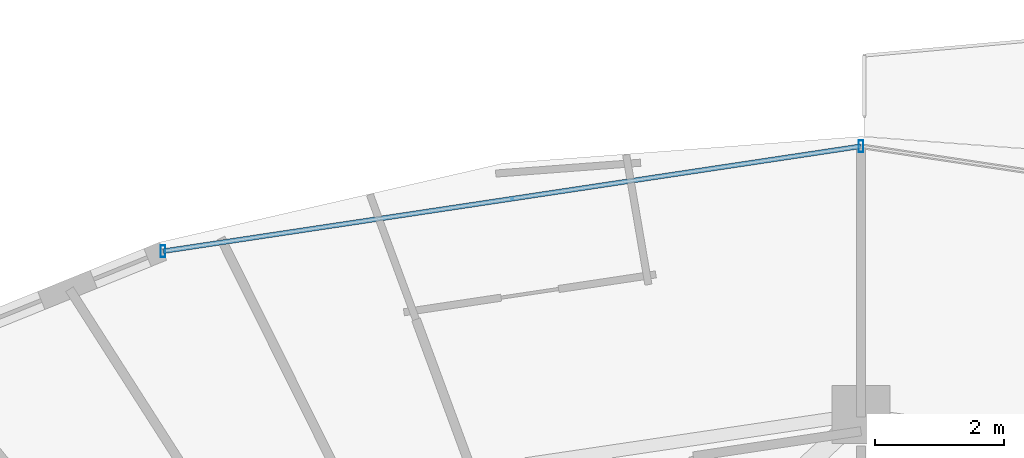
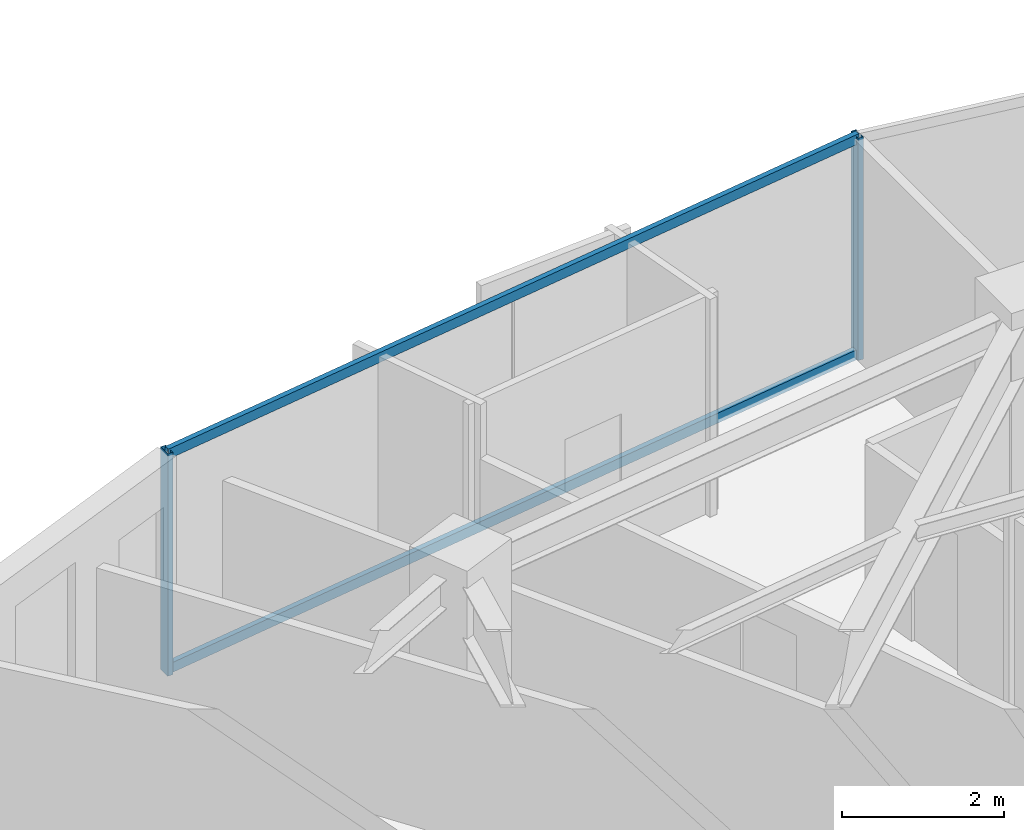
# One storey, part 18 of 32: 4 members, 1 element without a shape of its own.
"""IFC4 building model written with IfcOpenShell, lengths in metres."""

import ifcopenshell
import ifcopenshell.guid

model = None  # the IFC model being written
_history = None  # IfcOwnerHistory: only IFC2X3 demands one
_inside = {}  # id of a spatial element -> (the spatial element, [elements in it])
_under = {}  # id of a project, library or spatial element -> (it, [spatial elements below it])
_declared = {}  # id of a project -> (the project, [libraries it declares])
_typed = {}  # id of a type object -> (the type object, [elements of that type])
_made_of = {}  # id of a material, layer set ... -> (it, [elements and type objects made of it])


def new_model(schema):
    """Start an empty IFC model of exactly this schema.

    Asked for "IFC4X3", IfcOpenShell would pick the latest addendum, in which some entities
    have other attributes; the version numbers below select the first issue.
    IFC2X3 requires an IfcOwnerHistory on every rooted entity: one is made here for all.
    """
    global model, _history
    if schema == "IFC4X3":
        model = ifcopenshell.file(schema_version=(4, 3, 0, 0))
    else:
        model = ifcopenshell.file(schema=schema)
    _inside.clear()
    _under.clear()
    _declared.clear()
    _typed.clear()
    _made_of.clear()
    _history = None
    if model.schema == "IFC2X3":
        org = make("IfcOrganization", Name="unknown")
        user = make(
            "IfcPersonAndOrganization",
            ThePerson=make("IfcPerson", FamilyName="unknown"),
            TheOrganization=org,
        )
        app = make(
            "IfcApplication",
            ApplicationDeveloper=org,
            Version="unknown",
            ApplicationFullName="unknown",
            ApplicationIdentifier="unknown",
        )
        _history = make(
            "IfcOwnerHistory",
            OwningUser=user,
            OwningApplication=app,
            ChangeAction="ADDED",
            CreationDate=0,
        )
    return model


def make(cls, **values):
    """One entity of the class cls with the attributes given. An attribute that is None is left unset."""
    return model.create_entity(
        cls, **{name: value for name, value in values.items() if value is not None}
    )


def rooted(cls, **values):
    """An entity with a GlobalId (a new one), such as an element, a storey or a relation."""
    return make(cls, GlobalId=ifcopenshell.guid.new(), OwnerHistory=_history, **values)


def si_unit(unit_type, name, prefix=None):
    """IfcSIUnit, for example si_unit("LENGTHUNIT", "METRE", prefix="MILLI")."""
    return make("IfcSIUnit", UnitType=unit_type, Prefix=prefix, Name=name)


def assignment(units):
    """IfcUnitAssignment: the units of a project."""
    return None if units is None else make("IfcUnitAssignment", Units=units)


def point(xyz):
    """IfcCartesianPoint."""
    return None if xyz is None else make("IfcCartesianPoint", Coordinates=xyz)


def direction(xyz):
    """IfcDirection."""
    return None if xyz is None else make("IfcDirection", DirectionRatios=xyz)


def frame(location, z_axis=None, x_axis=None):
    """IfcAxis2Placement3D, a coordinate frame: its origin and axes. An axis left out is left unset."""
    return make(
        "IfcAxis2Placement3D",
        Location=point(location),
        Axis=direction(z_axis),
        RefDirection=direction(x_axis),
    )


def frame_2d(location, x_axis=None):
    """IfcAxis2Placement2D, a coordinate frame in the plane: its origin and x axis."""
    return make(
        "IfcAxis2Placement2D", Location=point(location), RefDirection=direction(x_axis)
    )


def origin():
    """The frame at (0, 0, 0) with its axes left unset."""
    return frame((0.0, 0.0, 0.0))


def origin_2d():
    """The frame at (0, 0) in the plane with its x axis left unset."""
    return frame_2d((0.0, 0.0))


def place(relative_to, where):
    """IfcLocalPlacement: puts the frame where relative to a parent placement (None: the world)."""
    return make(
        "IfcLocalPlacement", PlacementRelTo=relative_to, RelativePlacement=where
    )


def context(
    kind, dimensions, precision=None, world=None, true_north=None, identifier=None
):
    """IfcGeometricRepresentationContext, for example the 3D "Model" context."""
    return make(
        "IfcGeometricRepresentationContext",
        ContextIdentifier=identifier,
        ContextType=kind,
        CoordinateSpaceDimension=dimensions,
        Precision=precision,
        WorldCoordinateSystem=world,
        TrueNorth=true_north,
    )


def subcontext(parent, identifier, kind, view, scale=None):
    """IfcGeometricRepresentationSubContext, for example "Body" below "Model"."""
    return make(
        "IfcGeometricRepresentationSubContext",
        ContextIdentifier=identifier,
        ContextType=kind,
        ParentContext=parent,
        TargetScale=scale,
        TargetView=view,
    )


def project(units=None, contexts=None):
    """IfcProject with its units and contexts."""
    return rooted(
        "IfcProject",
        Name="project",
        RepresentationContexts=contexts,
        UnitsInContext=assignment(units),
    )


def spatial(cls, under=None, at=None, **own):
    """A site, building, storey or space (cls), placed at a placement, below another one or the project."""
    s = rooted(cls, ObjectPlacement=at, **own)
    if under is not None:
        _under.setdefault(under.id(), (under, []))[1].append(s)
    return s


def profile(cls, at=None, kind="AREA", **sizes):
    """A parametric profile (cls). Its sizes go by their IFC names, for example OverallWidth=200.0."""
    return make(cls, ProfileType=kind, Position=at, **sizes)


def hollow_rectangle(**sizes):
    """IfcRectangleHollowProfileDef."""
    return profile("IfcRectangleHollowProfileDef", **sizes)


def extrude(swept, where, along, depth):
    """IfcExtrudedAreaSolid: the profile swept, set in the frame where, extruded along a direction by depth."""
    return make(
        "IfcExtrudedAreaSolid",
        SweptArea=swept,
        Position=where,
        ExtrudedDirection=direction(along),
        Depth=depth,
    )


def shape(context_of_items, identifier, shape_type, items):
    """IfcShapeRepresentation: the items that make up one representation, for example the "Body"."""
    return make(
        "IfcShapeRepresentation",
        ContextOfItems=context_of_items,
        RepresentationIdentifier=identifier,
        RepresentationType=shape_type,
        Items=items,
    )


def material(Name=None, Category=None):
    """IfcMaterial."""
    return make("IfcMaterial", Name=Name, Category=Category)


def material_profile(
    of_material, cross_section, Name=None, Category=None, Priority=None
):
    """IfcMaterialProfile: a cross section and its material."""
    return make(
        "IfcMaterialProfile",
        Name=Name,
        Material=of_material,
        Profile=cross_section,
        Priority=Priority,
        Category=Category,
    )


def profile_set(profiles, Name=None, composite=None):
    """IfcMaterialProfileSet."""
    return make(
        "IfcMaterialProfileSet",
        Name=Name,
        MaterialProfiles=profiles,
        CompositeProfile=composite,
    )


def made_of(thing, what):
    """Note that an element or type object is made of a material, layer set ...; save() writes the relation."""
    if what is not None:
        _made_of.setdefault(what.id(), (what, []))[1].append(thing)
    return thing


def type_object(cls, material=None, **own):
    """A type object (cls), such as IfcWallType, which elements share."""
    return made_of(rooted(cls, **own), material)


def element(
    cls,
    number,
    at=None,
    inside=None,
    cuts=None,
    type_object=None,
    material=None,
    context=None,
    identifier="Body",
    shape_type=None,
    held_by="IfcProductDefinitionShape",
    body=None,
    shapes=None,
    **own,
):
    """One element of the class cls, such as IfcWall. Its Tag is "e" and its number.

    at: its placement. inside: the storey or other place that contains it. cuts: it is an
    opening in that element (IfcRelVoidsElement). A single representation is given by context,
    identifier, shape_type and body (its items); several are given by shapes. held_by: the class
    of the entity that holds the representations. save() writes the other relations.
    """
    e = rooted(cls, Tag="e%d" % number, ObjectPlacement=at, **own)
    if body is not None:
        shapes = [shape(context, identifier, shape_type, body)]
    if shapes is not None:
        e.Representation = make(held_by, Representations=shapes)
    if inside is not None:
        _inside.setdefault(inside.id(), (inside, []))[1].append(e)
    if cuts is not None:
        rooted(
            "IfcRelVoidsElement", RelatingBuildingElement=cuts, RelatedOpeningElement=e
        )
    if type_object is not None:
        _typed.setdefault(type_object.id(), (type_object, []))[1].append(e)
    return made_of(e, material)


def aggregate(whole, parts):
    """IfcRelAggregates: a whole, such as a stair, and the parts it consists of."""
    return rooted("IfcRelAggregates", RelatingObject=whole, RelatedObjects=parts)


def save(model, path):
    """Write the relations noted so far, then the file.

    IfcRelAggregates (storeys below a building ...), IfcRelContainedInSpatialStructure (elements
    in a storey), IfcRelDefinesByType, IfcRelAssociatesMaterial and IfcRelDeclares: one each for
    every whole, place, type object, material and project.
    """
    for whole, parts in _under.values():
        aggregate(whole, parts)
    for where, things in _inside.values():
        rooted(
            "IfcRelContainedInSpatialStructure",
            RelatedElements=things,
            RelatingStructure=where,
        )
    for kind, things in _typed.values():
        rooted("IfcRelDefinesByType", RelatedObjects=things, RelatingType=kind)
    for what, things in _made_of.values():
        rooted("IfcRelAssociatesMaterial", RelatedObjects=things, RelatingMaterial=what)
    for by, libraries in _declared.values():
        rooted("IfcRelDeclares", RelatingContext=by, RelatedDefinitions=libraries)
    model.write(path)


model = new_model("IFC4")

# Units and contexts
model_context = context("Model", 3, precision=1e-05, world=origin(), true_north=direction((0.0, 1.0)))
body_context = subcontext(model_context, "Body", "Model", "MODEL_VIEW")
ifc_project = project(units=[si_unit("LENGTHUNIT", "METRE"), si_unit("AREAUNIT", "SQUARE_METRE"), si_unit("VOLUMEUNIT", "CUBIC_METRE"), si_unit("PLANEANGLEUNIT", "RADIAN"), si_unit("MASSUNIT", "GRAM", prefix="KILO")], contexts=[model_context])

# Site, building, storey
site_placement = place(None, origin())
site = spatial("IfcSite", under=ifc_project, at=site_placement, CompositionType="ELEMENT")
building_placement = place(site_placement, origin())
building = spatial("IfcBuilding", under=site, at=building_placement, Name="Vorneva Point Tower", CompositionType="ELEMENT")
storey_placement = place(building_placement, frame((0.0, 0.0, 207.199951171875)))
storey = spatial("IfcBuildingStorey", under=building, at=storey_placement, Name="L56", CompositionType="ELEMENT", Elevation=207.199951171875)

# Curtain wall, members
ifc_material = material(Name="Pale anodised aluminium", Category="aluminium")
curtain_wall_type = type_object("IfcCurtainWallType", Name="CW-RES-SYS", PredefinedType="NOTDEFINED", material=ifc_material)
curtain_wall_placement = place(storey_placement, origin())
curtain_wall = element("IfcCurtainWall", 1, at=curtain_wall_placement, inside=storey, type_object=curtain_wall_type, Name="L56 Unitised Curtain Wall CW-L56-R01", PredefinedType="NOTDEFINED")
ifc_material_profile_1 = material_profile(ifc_material, hollow_rectangle(XDim=0.074951171875, YDim=0.179931640625, WallThickness=0.00390625, at=origin_2d()), Name="AL-MUL 180x75x4")
ifc_profile_set_1 = profile_set([ifc_material_profile_1], Name="Pale anodised aluminium")
member_type_1 = type_object("IfcMemberType", Name="CW-MUL-180", PredefinedType="MULLION", material=ifc_profile_set_1)
member_1_placement = place(storey_placement, frame((38.0, 47.35009765625, -0.0400390625), z_axis=(0.0, 0.0, 1.0), x_axis=(1.0, 0.0, 0.0)))
member_1 = element("IfcMember", 2, at=member_1_placement, type_object=member_type_1, Name="CW-L56-R01 Mullion 04", PredefinedType="MULLION", context=body_context, shape_type="SweptSolid", body=[
    extrude(hollow_rectangle(XDim=0.074951171875, YDim=0.179931640625, WallThickness=0.00390625, at=origin_2d()), origin(), (0.0, 0.0, 1.0), 3.360107421875),
])
member_2_placement = place(storey_placement, frame((27.19677734375, 45.724853515625, -0.0400390625), z_axis=(0.0, 0.0, 1.0), x_axis=(1.0, 0.0, 0.0)))
member_2 = element("IfcMember", 3, at=member_2_placement, type_object=member_type_1, Name="CW-L56-R01 Mullion 05", PredefinedType="MULLION", context=body_context, shape_type="SweptSolid", body=[
    extrude(hollow_rectangle(XDim=0.074951171875, YDim=0.179931640625, WallThickness=0.00390625, at=origin_2d()), origin(), (0.0, 0.0, 1.0), 3.360107421875),
])
ifc_material_profile_2 = material_profile(ifc_material, hollow_rectangle(XDim=0.074951171875, YDim=0.14990234375, WallThickness=0.00390625, at=origin_2d()), Name="AL-TRN 150x75x4")
ifc_profile_set_2 = profile_set([ifc_material_profile_2], Name="Pale anodised aluminium")
member_type_2 = type_object("IfcMemberType", Name="CW-TRN-150", PredefinedType="USERDEFINED", material=ifc_profile_set_2)
member_3_placement = place(storey_placement, frame((38.0, 47.35009765625, 0.02001953125), z_axis=(-0.988872333273, -0.148766624239, 0.0), x_axis=(0.148766624239, -0.988872333273, 0.0)))
member_3 = element("IfcMember", 4, at=member_3_placement, type_object=member_type_2, Name="CW-L56-R01 Transom 04.1", ObjectType="TRANSOM", PredefinedType="USERDEFINED", context=body_context, shape_type="SweptSolid", body=[
    extrude(hollow_rectangle(XDim=0.074951171875, YDim=0.14990234375, WallThickness=0.00390625, at=origin_2d()), origin(), (0.0, 0.0, 1.0), 10.9248046875),
])
member_4_placement = place(storey_placement, frame((38.0, 47.35009765625, 3.27001953125), z_axis=(-0.988872333273, -0.148766624239, 0.0), x_axis=(0.148766624239, -0.988872333273, 0.0)))
member_4 = element("IfcMember", 5, at=member_4_placement, type_object=member_type_2, Name="CW-L56-R01 Transom 04.2", ObjectType="TRANSOM", PredefinedType="USERDEFINED", context=body_context, shape_type="SweptSolid", body=[
    extrude(hollow_rectangle(XDim=0.074951171875, YDim=0.14990234375, WallThickness=0.00390625, at=origin_2d()), origin(), (0.0, 0.0, 1.0), 10.9248046875),
])
aggregate(curtain_wall, [member_1, member_2, member_3, member_4])

save(model, "model.ifc")
